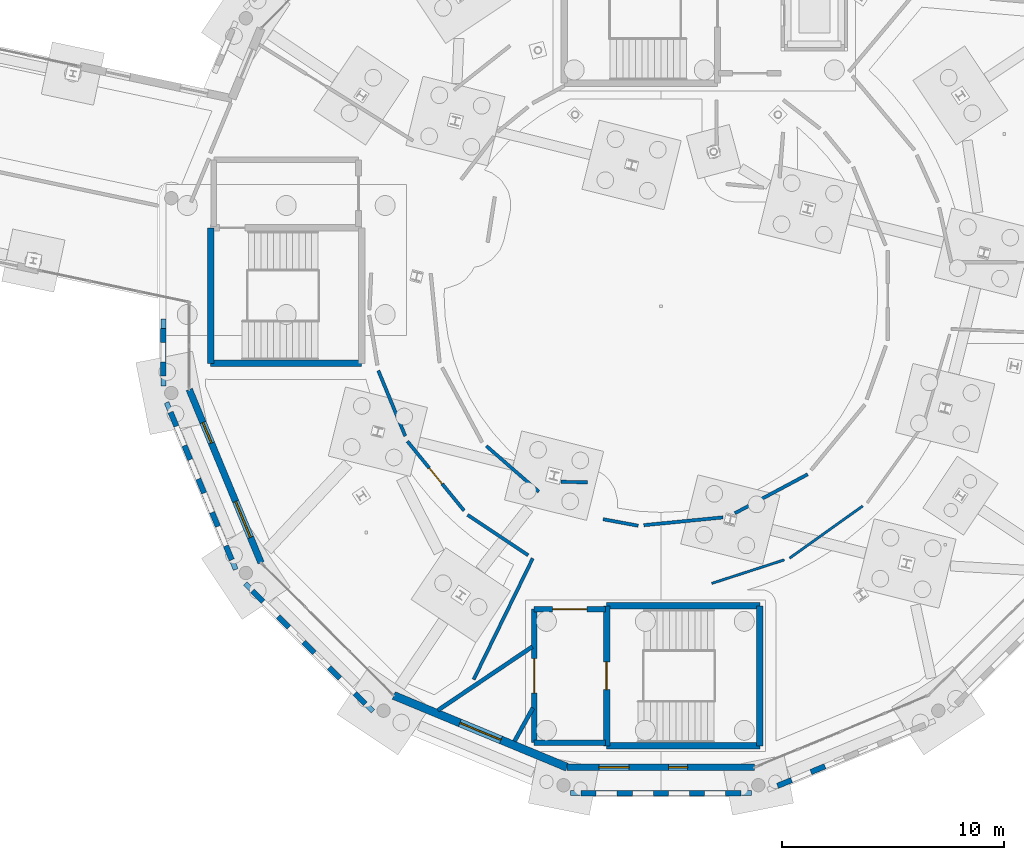
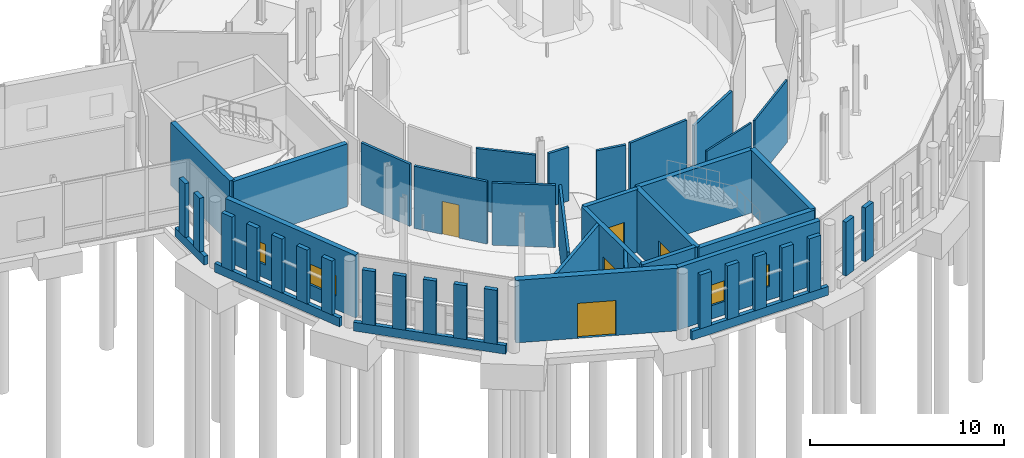
# One storey, part 89 of 113: 48 walls, 5 doors, 4 windows, 9 openings.
"""IFC4 building model written with IfcOpenShell, lengths in metres."""

from ifc_helpers import new_model, si_unit, direction, frame, frame_2d, origin, place, context, subcontext, project, spatial, rectangle, extrude, material, layer, layer_set, type_object, element, fill, save


model = new_model("IFC4")

# Units and contexts
model_context = context("Model", 3, precision=1e-05, world=origin(), true_north=direction((0.0, 1.0)))
body_context = subcontext(model_context, "Body", "Model", "MODEL_VIEW")
ifc_project = project(units=[si_unit("LENGTHUNIT", "METRE"), si_unit("AREAUNIT", "SQUARE_METRE"), si_unit("VOLUMEUNIT", "CUBIC_METRE"), si_unit("PLANEANGLEUNIT", "RADIAN"), si_unit("MASSUNIT", "GRAM", prefix="KILO")], contexts=[model_context])

# Site, building, storey
site_placement = place(None, origin())
site = spatial("IfcSite", under=ifc_project, at=site_placement, CompositionType="ELEMENT")
building_placement = place(site_placement, origin())
building = spatial("IfcBuilding", under=site, at=building_placement, Name="Wrenclough Park School", CompositionType="ELEMENT")
storey_placement = place(building_placement, origin())
storey = spatial("IfcBuildingStorey", under=building, at=storey_placement, Name="L00", CompositionType="ELEMENT", Elevation=0.0)

# Walls
ifc_material_1 = material(Name="Perforated open-bond Staffordshire and Manchester brick screen pier", Category="masonry")
ifc_layer_1 = layer(ifc_material_1, 0.2451171875)
ifc_layer_set_1 = layer_set([ifc_layer_1], Name="Perforated open-bond Staffordshire and Manchester brick screen pier")
wall_type_1 = type_object("IfcWallType", Name="ENV-BS-PR245", PredefinedType="ELEMENTEDWALL", material=ifc_layer_set_1)
for number, where, z_axis, x_axis, name in (
    (1, (133.121826171875, 25.017333984375, 0.550048828125), (0.0, 0.0, 1.0), (0.0, -1.0, 0.0), "D1 L00 perforated brick screen pier 0021"),
    (2, (133.121826171875, 23.507080078125, 0.550048828125), (0.0, 0.0, 1.0), (0.0, -1.0, 0.0), "D1 L00 perforated brick screen pier 0022"),
):
    element("IfcWall", number, at=place(storey_placement, frame(where, z_axis=z_axis, x_axis=x_axis)), inside=storey, type_object=wall_type_1, Name=name, PredefinedType="ELEMENTEDWALL", context=body_context, shape_type="SweptSolid", body=[
        extrude(rectangle(XDim=0.634033203125, YDim=0.2451171875, at=frame_2d((0.31689453125, 0.0))), origin(), (0.0, 0.0, 1.0), 3.389892578125),
    ])
for number, where, z_axis, x_axis, name in (
    (3, (133.4501953125, 21.256103515625, 0.550048828125), (0.0, 0.0, 1.0), (0.382762115804, -0.923846936838, 0.0), "D1 L00 perforated brick screen pier 0023"),
    (4, (134.072509765625, 19.75390625, 0.550048828125), (0.0, 0.0, 1.0), (0.38245702535, -0.923973280869, 0.0), "D1 L00 perforated brick screen pier 0024"),
    (5, (134.694580078125, 18.251708984375, 0.550048828125), (0.0, 0.0, 1.0), (0.382762115804, -0.923846936838, 0.0), "D1 L00 perforated brick screen pier 0025"),
    (6, (135.31689453125, 16.74951171875, 0.550048828125), (0.0, 0.0, 1.0), (0.382762115804, -0.923846936838, 0.0), "D1 L00 perforated brick screen pier 0026"),
    (7, (135.939208984375, 15.247314453125, 0.550048828125), (0.0, 0.0, 1.0), (0.382762115804, -0.923846936838, 0.0), "D1 L00 perforated brick screen pier 0027"),
):
    element("IfcWall", number, at=place(storey_placement, frame(where, z_axis=z_axis, x_axis=x_axis)), inside=storey, type_object=wall_type_1, Name=name, PredefinedType="ELEMENTEDWALL", context=body_context, shape_type="SweptSolid", body=[
        extrude(rectangle(XDim=0.68310546875, YDim=0.2451171875, at=frame_2d((0.341552734375, 0.0))), origin(), (0.0, 0.0, 1.0), 3.389892578125),
    ])
for number, where, z_axis, x_axis, name in (
    (8, (137.135498046875, 13.21728515625, 0.550048828125), (0.0, 0.0, 1.0), (0.707106781187, -0.707106781187, 0.0), "D1 L00 perforated brick screen pier 0028"),
    (9, (138.28515625, 12.0673828125, 0.550048828125), (0.0, 0.0, 1.0), (0.707285546639, -0.706927970528, 0.0), "D1 L00 perforated brick screen pier 0029"),
    (10, (139.434814453125, 10.917724609375, 0.550048828125), (0.0, 0.0, 1.0), (0.707106781187, -0.707106781187, 0.0), "D1 L00 perforated brick screen pier 0030"),
    (11, (140.584716796875, 9.76806640625, 0.550048828125), (0.0, 0.0, 1.0), (0.706927970528, -0.707285546639, 0.0), "D1 L00 perforated brick screen pier 0031"),
    (12, (141.734375, 8.618408203125, 0.550048828125), (0.0, 0.0, 1.0), (0.707106781187, -0.707106781187, 0.0), "D1 L00 perforated brick screen pier 0032"),
):
    element("IfcWall", number, at=place(storey_placement, frame(where, z_axis=z_axis, x_axis=x_axis)), inside=storey, type_object=wall_type_1, Name=name, PredefinedType="ELEMENTEDWALL", context=body_context, shape_type="SweptSolid", body=[
        extrude(rectangle(XDim=0.682861328125, YDim=0.2451171875, at=frame_2d((0.34130859375, 0.0))), origin(), (0.0, 0.0, 1.0), 3.389892578125),
    ])
for number, where, z_axis, x_axis, name in (
    (13, (151.906494140625, 4.121826171875, 0.550048828125), (0.0, 0.0, 1.0), (1.0, 0.0, 0.0), "D1 L00 perforated brick screen pier 0033"),
    (14, (153.532470703125, 4.121826171875, 0.550048828125), (0.0, 0.0, 1.0), (1.0, 0.0, 0.0), "D1 L00 perforated brick screen pier 0034"),
    (15, (155.158447265625, 4.121826171875, 0.550048828125), (0.0, 0.0, 1.0), (1.0, 0.0, 0.0), "D1 L00 perforated brick screen pier 0035"),
    (16, (156.784423828125, 4.121826171875, 0.550048828125), (0.0, 0.0, 1.0), (1.0, 0.0, 0.0), "D1 L00 perforated brick screen pier 0036"),
    (17, (158.410400390625, 4.121826171875, 0.550048828125), (0.0, 0.0, 1.0), (1.0, 0.0, 0.0), "D1 L00 perforated brick screen pier 0037"),
    (18, (160.743896484375, 4.4501953125, 0.550048828125), (0.0, 0.0, 1.0), (0.923846936838, 0.382762115804, 0.0), "D1 L00 perforated brick screen pier 0038"),
    (19, (162.24609375, 5.072509765625, 0.550048828125), (0.0, 0.0, 1.0), (0.923973280869, 0.38245702535, 0.0), "D1 L00 perforated brick screen pier 0039"),
):
    element("IfcWall", number, at=place(storey_placement, frame(where, z_axis=z_axis, x_axis=x_axis)), inside=storey, type_object=wall_type_1, Name=name, PredefinedType="ELEMENTEDWALL", context=body_context, shape_type="SweptSolid", body=[
        extrude(rectangle(XDim=0.68310546875, YDim=0.2451171875, at=frame_2d((0.341552734375, 0.0))), origin(), (0.0, 0.0, 1.0), 3.389892578125),
    ])
ifc_material_2 = material(Name="Open-bond Manchester multi-stock brick spandrel screen", Category="masonry")
ifc_layer_2 = layer(ifc_material_2, 0.22509765625)
ifc_layer_set_2 = layer_set([ifc_layer_2], Name="Open-bond Manchester multi-stock brick spandrel screen")
wall_type_2 = type_object("IfcWallType", Name="ENV-BS-SP225", PredefinedType="ELEMENTEDWALL", material=ifc_layer_set_2)
wall_1_placement = place(storey_placement, frame((133.121826171875, 25.45556640625, 0.0), z_axis=(0.0, 0.0, 1.0), x_axis=(0.0, -1.0, 0.0)))
element("IfcWall", 20, at=wall_1_placement, inside=storey, type_object=wall_type_2, Name="D1 L00 open-bond brick screen spandrel 0006", PredefinedType="ELEMENTEDWALL", context=body_context, shape_type="SweptSolid", body=[
    extrude(rectangle(XDim=3.0205078125, YDim=0.22509765625, at=frame_2d((1.51025390625, 0.0))), origin(), (0.0, 0.0, 1.0), 0.550048828125),
])
wall_2_placement = place(storey_placement, frame((133.269775390625, 21.691650390625, 0.0), z_axis=(0.0, 0.0, 1.0), x_axis=(0.382701881142, -0.923871890562, 0.0)))
element("IfcWall", 21, at=wall_2_placement, inside=storey, type_object=wall_type_2, Name="D1 L00 open-bond brick screen spandrel 0007", PredefinedType="ELEMENTEDWALL", context=body_context, shape_type="SweptSolid", body=[
    extrude(rectangle(XDim=8.1298828125, YDim=0.22509765625, at=frame_2d((4.06494140625, 0.0))), origin(), (0.0, 0.0, 1.0), 0.550048828125),
])
wall_3_placement = place(storey_placement, frame((136.802001953125, 13.550537109375, 0.0), z_axis=(0.0, 0.0, 1.0), x_axis=(0.707106781187, -0.707106781187, 0.0)))
element("IfcWall", 22, at=wall_3_placement, inside=storey, type_object=wall_type_2, Name="D1 L00 open-bond brick screen spandrel 0008", PredefinedType="ELEMENTEDWALL", context=body_context, shape_type="SweptSolid", body=[
    extrude(rectangle(XDim=8.129638671875, YDim=0.22509765625, at=frame_2d((4.06494140625, 0.0))), origin(), (0.0, 0.0, 1.0), 0.550048828125),
])
wall_4_placement = place(storey_placement, frame((151.43505859375, 4.121826171875, 0.0), z_axis=(0.0, 0.0, 1.0), x_axis=(1.0, 0.0, 0.0)))
element("IfcWall", 23, at=wall_4_placement, inside=storey, type_object=wall_type_2, Name="D1 L00 open-bond brick screen spandrel 0009", PredefinedType="ELEMENTEDWALL", context=body_context, shape_type="SweptSolid", body=[
    extrude(rectangle(XDim=8.1298828125, YDim=0.22509765625, at=frame_2d((4.06494140625, 0.0))), origin(), (0.0, 0.0, 1.0), 0.550048828125),
])

# Wall, openings, windows
ifc_material_3 = material(Name="Link wing brick-faced cavity wall Concrete C32/40", Category="masonry")
ifc_layer_3 = layer(ifc_material_3, 0.27490234375)
ifc_layer_set_3 = layer_set([ifc_layer_3], Name="Link wing brick-faced cavity wall Concrete C32/40")
wall_type_3 = type_object("IfcWallType", Name="ENV-EW-275", PredefinedType="SOLIDWALL", material=ifc_layer_set_3)
wall_5_placement = place(storey_placement, frame((159.71923828125, 5.287841796875, 0.0), z_axis=(0.0, 0.0, 1.0), x_axis=(-1.0, 0.0, 0.0)))
wall_5 = element("IfcWall", 24, at=wall_5_placement, inside=storey, type_object=wall_type_3, Name="L00 insulated brick external wall 0038", PredefinedType="SOLIDWALL", context=body_context, shape_type="SweptSolid", body=[
    extrude(rectangle(XDim=8.4384765625, YDim=0.27490234375, at=frame_2d((4.21923828125, 0.0))), origin(), (0.0, 0.0, 1.0), 3.93994140625),
])
opening_1_placement = place(wall_5_placement, frame((3.019287109375, 0.0, 0.85009765625)))
opening_1 = element("IfcOpeningElement", 25, at=opening_1_placement, cuts=wall_5, Name="Opening WN-01", PredefinedType="OPENING", context=body_context, shape_type="SweptSolid", body=[
    extrude(rectangle(XDim=0.85009765625, YDim=1.39990234375, at=frame_2d((0.425048828125, 0.699951171875))), frame((0.0, 0.1474609375, 0.0), z_axis=(0.0, -1.0, 0.0), x_axis=(1.0, 0.0, 0.0)), (0.0, 0.0, 1.0), 0.294921875),
])
opening_2_placement = place(wall_5_placement, frame((5.654052734375, 0.0, 0.85009765625)))
opening_2 = element("IfcOpeningElement", 26, at=opening_2_placement, cuts=wall_5, Name="Opening WN-43", PredefinedType="OPENING", context=body_context, shape_type="SweptSolid", body=[
    extrude(rectangle(XDim=1.35009765625, YDim=1.300048828125, at=frame_2d((0.675048828125, 0.64990234375))), frame((0.0, 0.1474609375, 0.0), z_axis=(0.0, -1.0, 0.0), x_axis=(1.0, 0.0, 0.0)), (0.0, 0.0, 1.0), 0.294921875),
])
ifc_material_4 = material(Name="Thermally broken aluminium and double-glazed low-e glass", Category="aluminium")
window_type_1 = type_object("IfcWindowType", Name="ENV-WN-01", PartitioningType="SINGLE_PANEL", PredefinedType="WINDOW", material=ifc_material_4)
window_1_placement = place(opening_1_placement, origin())
window_1 = element("IfcWindow", 27, at=window_1_placement, inside=storey, type_object=window_type_1, Name="L00 scheduled facade window 0041", OverallHeight=1.39990234375, OverallWidth=0.85009765625, PartitioningType="SINGLE_PANEL", PredefinedType="WINDOW", context=body_context, shape_type="SweptSolid", body=[
    extrude(rectangle(XDim=0.85009765625, YDim=1.39990234375, at=frame_2d((0.425048828125, 0.699951171875))), frame((0.0, 0.030029296875, 0.0), z_axis=(0.0, -1.0, 0.0), x_axis=(1.0, 0.0, 0.0)), (0.0, 0.0, 1.0), 0.06005859375),
])
fill(opening_1, window_1)
window_type_2 = type_object("IfcWindowType", Name="ENV-WN-43", PartitioningType="SINGLE_PANEL", PredefinedType="WINDOW", material=ifc_material_4)
window_2_placement = place(opening_2_placement, origin())
window_2 = element("IfcWindow", 28, at=window_2_placement, inside=storey, type_object=window_type_2, Name="L00 scheduled facade window 0042", OverallHeight=1.300048828125, OverallWidth=1.35009765625, PartitioningType="SINGLE_PANEL", PredefinedType="WINDOW", context=body_context, shape_type="SweptSolid", body=[
    extrude(rectangle(XDim=1.35009765625, YDim=1.300048828125, at=frame_2d((0.675048828125, 0.64990234375))), frame((0.0, 0.030029296875, 0.0), z_axis=(0.0, -1.0, 0.0), x_axis=(1.0, 0.0, 0.0)), (0.0, 0.0, 1.0), 0.06005859375),
])
fill(opening_2, window_2)

ifc_material_5 = material(Name="Manchester multi-stock brick and Concrete C32/40 inner leaf", Category="masonry")
ifc_layer_4 = layer(ifc_material_5, 0.300048828125)
ifc_layer_set_4 = layer_set([ifc_layer_4], Name="Manchester multi-stock brick and Concrete C32/40 inner leaf")
wall_type_4 = type_object("IfcWallType", Name="ENV-EW-300", PredefinedType="SOLIDWALL", material=ifc_layer_set_4)
wall_6_placement = place(storey_placement, frame((137.51708984375, 14.484375, 0.0), z_axis=(0.0, 0.0, 1.0), x_axis=(-0.382671186453, 0.923884604839, 0.0)))
wall_6 = element("IfcWall", 29, at=wall_6_placement, inside=storey, type_object=wall_type_4, Name="L00 insulated brick external wall 0040", PredefinedType="SOLIDWALL", context=body_context, shape_type="SweptSolid", body=[
    extrude(rectangle(XDim=8.438720703125, YDim=0.300048828125, at=frame_2d((4.21923828125, 0.0))), origin(), (0.0, 0.0, 1.0), 3.93994140625),
])
opening_3_placement = place(wall_6_placement, frame((1.234619140625, 0.0, 0.85009765625)))
opening_3 = element("IfcOpeningElement", 30, at=opening_3_placement, cuts=wall_6, Name="Opening WN-44", PredefinedType="OPENING", context=body_context, shape_type="SweptSolid", body=[
    extrude(rectangle(XDim=1.75, YDim=1.300048828125, at=frame_2d((0.875, 0.64990234375))), frame((0.0, 0.159912109375, 0.0), z_axis=(0.0, -1.0, 0.0), x_axis=(1.0, 0.0, 0.0)), (0.0, 0.0, 1.0), 0.320068359375),
])
opening_4_placement = place(wall_6_placement, frame((5.8291015625, 0.0, 0.85009765625)))
opening_4 = element("IfcOpeningElement", 31, at=opening_4_placement, cuts=wall_6, Name="Opening WN-45", PredefinedType="OPENING", context=body_context, shape_type="SweptSolid", body=[
    extrude(rectangle(XDim=1.0, YDim=1.300048828125, at=frame_2d((0.5, 0.64990234375))), frame((0.0, 0.159912109375, 0.0), z_axis=(0.0, -1.0, 0.0), x_axis=(1.0, 0.0, 0.0)), (0.0, 0.0, 1.0), 0.320068359375),
])
window_type_3 = type_object("IfcWindowType", Name="ENV-WN-44", PartitioningType="DOUBLE_PANEL_VERTICAL", PredefinedType="WINDOW", material=ifc_material_4)
window_3_placement = place(opening_3_placement, origin())
window_3 = element("IfcWindow", 32, at=window_3_placement, inside=storey, type_object=window_type_3, Name="L00 scheduled facade window 0043", OverallHeight=1.300048828125, OverallWidth=1.75, PartitioningType="SINGLE_PANEL", PredefinedType="WINDOW", context=body_context, shape_type="SweptSolid", body=[
    extrude(rectangle(XDim=1.75, YDim=1.300048828125, at=frame_2d((0.875, 0.64990234375))), frame((0.0, 0.030029296875, 0.0), z_axis=(0.0, -1.0, 0.0), x_axis=(1.0, 0.0, 0.0)), (0.0, 0.0, 1.0), 0.06005859375),
])
fill(opening_3, window_3)
window_type_4 = type_object("IfcWindowType", Name="ENV-WN-45", PartitioningType="SINGLE_PANEL", PredefinedType="WINDOW", material=ifc_material_4)
window_4_placement = place(opening_4_placement, origin())
window_4 = element("IfcWindow", 33, at=window_4_placement, inside=storey, type_object=window_type_4, Name="L00 scheduled facade window 0044", OverallHeight=1.300048828125, OverallWidth=1.0, PartitioningType="SINGLE_PANEL", PredefinedType="WINDOW", context=body_context, shape_type="SweptSolid", body=[
    extrude(rectangle(XDim=1.0, YDim=1.300048828125, at=frame_2d((0.5, 0.64990234375))), frame((0.0, 0.030029296875, 0.0), z_axis=(0.0, -1.0, 0.0), x_axis=(1.0, 0.0, 0.0)), (0.0, 0.0, 1.0), 0.06005859375),
])
fill(opening_4, window_4)

# Wall, opening, door
ifc_material_6 = material(Name="Faceted courtyard brick-cavity wall Concrete C35/45", Category="masonry")
ifc_layer_5 = layer(ifc_material_6, 0.364990234375)
ifc_layer_set_5 = layer_set([ifc_layer_5], Name="Faceted courtyard brick-cavity wall Concrete C35/45")
wall_type_5 = type_object("IfcWallType", Name="ENV-EW-365", PredefinedType="SOLIDWALL", material=ifc_layer_set_5)
wall_7_placement = place(storey_placement, frame((151.28076171875, 5.287841796875, 0.0), z_axis=(0.0, 0.0, 1.0), x_axis=(-0.923884604839, 0.382671186453, 0.0)))
wall_7 = element("IfcWall", 34, at=wall_7_placement, inside=storey, type_object=wall_type_5, Name="L00 insulated brick external wall 0039", PredefinedType="SOLIDWALL", context=body_context, shape_type="SweptSolid", body=[
    extrude(rectangle(XDim=8.438720703125, YDim=0.364990234375, at=frame_2d((4.21923828125, 0.0))), origin(), (0.0, 0.0, 1.0), 3.93994140625),
])
opening_5_placement = place(wall_7_placement, frame((3.21923828125, 0.0, 0.0)))
opening_5 = element("IfcOpeningElement", 35, at=opening_5_placement, cuts=wall_7, Name="Opening EX-15", PredefinedType="OPENING", context=body_context, shape_type="SweptSolid", body=[
    extrude(rectangle(XDim=2.0, YDim=2.199951171875, at=frame_2d((1.0, 1.10009765625))), frame((0.0, 0.1923828125, 0.0), z_axis=(0.0, -1.0, 0.0), x_axis=(1.0, 0.0, 0.0)), (0.0, 0.0, 1.0), 0.385009765625),
])
ifc_material_7 = material(Name="Thermally broken powder-coated aluminium and laminated safety glass", Category="aluminium")
door_type_1 = type_object("IfcDoorType", Name="DR-EX200", OperationType="NOTDEFINED", PredefinedType="DOOR", material=ifc_material_7)
door_1_placement = place(opening_5_placement, origin())
door_1 = element("IfcDoor", 36, at=door_1_placement, inside=storey, type_object=door_type_1, Name="Pedestrian final exit door EX-15", OperationType="DOUBLE_DOOR_SINGLE_SWING", OverallHeight=2.199951171875, OverallWidth=2.0, PredefinedType="DOOR", context=body_context, shape_type="SweptSolid", body=[
    extrude(rectangle(XDim=2.0, YDim=2.199951171875, at=frame_2d((1.0, 1.10009765625))), frame((0.0, 0.02490234375, 0.0), z_axis=(0.0, -1.0, 0.0), x_axis=(1.0, 0.0, 0.0)), (0.0, 0.0, 1.0), 0.050048828125),
])
fill(opening_5, door_1)

# Wall
ifc_material_8 = material(Name="Concrete C35/45", Category="concrete")
ifc_layer_6 = layer(ifc_material_8, 0.25)
ifc_layer_set_6 = layer_set([ifc_layer_6], Name="Concrete C35/45")
wall_type_6 = type_object("IfcWallType", Name="INT-CW-250", PredefinedType="SHEAR", material=ifc_layer_set_6)
wall_8_placement = place(storey_placement, frame((149.800048828125, 6.39990234375, 0.0), z_axis=(0.0, 0.0, 1.0), x_axis=(1.0, 0.0, 0.0)))
element("IfcWall", 37, at=wall_8_placement, inside=storey, type_object=wall_type_6, Name="Core C1B L00 lobby fire wall south", PredefinedType="SHEAR", context=body_context, shape_type="SweptSolid", body=[
    extrude(rectangle(XDim=3.199951171875, YDim=0.25, at=frame_2d((1.60009765625, 0.0))), origin(), (0.0, 0.0, 1.0), 3.949951171875),
])

# Wall, opening, door
wall_9_placement = place(storey_placement, frame((153.0, 12.39990234375, 0.0), z_axis=(0.0, 0.0, 1.0), x_axis=(-1.0, 0.0, 0.0)))
wall_9 = element("IfcWall", 38, at=wall_9_placement, inside=storey, type_object=wall_type_6, Name="Core C1B L00 lobby fire wall north", PredefinedType="SHEAR", context=body_context, shape_type="SweptSolid", body=[
    extrude(rectangle(XDim=3.199951171875, YDim=0.25, at=frame_2d((1.60009765625, 0.0))), origin(), (0.0, 0.0, 1.0), 3.949951171875),
])
opening_6_placement = place(wall_9_placement, frame((0.824951171875, 0.0, 0.0)))
opening_6 = element("IfcOpeningElement", 39, at=opening_6_placement, cuts=wall_9, Name="Opening DLB-C1B-L00", PredefinedType="OPENING", context=body_context, shape_type="SweptSolid", body=[
    extrude(rectangle(XDim=1.550048828125, YDim=2.14990234375, at=frame_2d((0.77490234375, 1.074951171875))), frame((0.0, 0.135009765625, 0.0), z_axis=(0.0, -1.0, 0.0), x_axis=(1.0, 0.0, 0.0)), (0.0, 0.0, 1.0), 0.27001953125),
])
ifc_material_9 = material(Name="Protected stair lobby double fire door assembly", Category="wood")
door_type_2 = type_object("IfcDoorType", Name="INT-DR-LB155", OperationType="NOTDEFINED", PredefinedType="DOOR", material=ifc_material_9)
door_2_placement = place(opening_6_placement, frame((1.550048828125, 0.0, 0.0), z_axis=(0.0, 0.0, 1.0), x_axis=(-1.0, 0.0, 0.0)))
door_2 = element("IfcDoor", 40, at=door_2_placement, inside=storey, type_object=door_type_2, Name="Core C1B L00 protected lobby fire door", OperationType="DOUBLE_DOOR_SINGLE_SWING", OverallHeight=2.14990234375, OverallWidth=1.550048828125, PredefinedType="DOOR", context=body_context, shape_type="SweptSolid", body=[
    extrude(rectangle(XDim=1.550048828125, YDim=2.14990234375, at=frame_2d((0.77490234375, 1.074951171875))), frame((0.0, 0.02490234375, 0.0), z_axis=(0.0, -1.0, 0.0), x_axis=(1.0, 0.0, 0.0)), (0.0, 0.0, 1.0), 0.050048828125),
])
fill(opening_6, door_2)

wall_10_placement = place(storey_placement, frame((149.800048828125, 12.39990234375, 0.0), z_axis=(0.0, 0.0, 1.0), x_axis=(0.0, -1.0, 0.0)))
wall_10 = element("IfcWall", 41, at=wall_10_placement, inside=storey, type_object=wall_type_6, Name="Core C1B L00 lobby fire wall west", PredefinedType="SHEAR", context=body_context, shape_type="SweptSolid", body=[
    extrude(rectangle(XDim=6.0, YDim=0.25, at=frame_2d((3.0, 0.0))), origin(), (0.0, 0.0, 1.0), 3.949951171875),
])
opening_7_placement = place(wall_10_placement, frame((2.22509765625, 0.0, 0.0)))
opening_7 = element("IfcOpeningElement", 42, at=opening_7_placement, cuts=wall_10, Name="Opening DEP-C1B-L00", PredefinedType="OPENING", context=body_context, shape_type="SweptSolid", body=[
    extrude(rectangle(XDim=1.550048828125, YDim=2.14990234375, at=frame_2d((0.77490234375, 1.074951171875))), frame((0.0, 0.135009765625, 0.0), z_axis=(0.0, -1.0, 0.0), x_axis=(1.0, 0.0, 0.0)), (0.0, 0.0, 1.0), 0.27001953125),
])
door_3_placement = place(opening_7_placement, frame((1.550048828125, 0.0, 0.0), z_axis=(0.0, 0.0, 1.0), x_axis=(-1.0, 0.0, 0.0)))
door_3 = element("IfcDoor", 43, at=door_3_placement, inside=storey, type_object=door_type_2, Name="Core C1B L00 protected exit passageway fire door", OperationType="DOUBLE_DOOR_SINGLE_SWING", OverallHeight=2.14990234375, OverallWidth=1.550048828125, PredefinedType="DOOR", context=body_context, shape_type="SweptSolid", body=[
    extrude(rectangle(XDim=1.550048828125, YDim=2.14990234375, at=frame_2d((0.77490234375, 1.074951171875))), frame((0.0, 0.02490234375, 0.0), z_axis=(0.0, -1.0, 0.0), x_axis=(1.0, 0.0, 0.0)), (0.0, 0.0, 1.0), 0.050048828125),
])
fill(opening_7, door_3)

# Walls
ifc_material_10 = material(Name="Concrete C40/50", Category="concrete")
ifc_layer_7 = layer(ifc_material_10, 0.2900390625)
ifc_layer_set_7 = layer_set([ifc_layer_7], Name="Concrete C40/50")
wall_type_7 = type_object("IfcWallType", Name="INT-CW-290", PredefinedType="SHEAR", material=ifc_layer_set_7)
wall_11_placement = place(storey_placement, frame((153.054931640625, 6.2548828125, 0.0), z_axis=(0.0, 0.0, 1.0), x_axis=(1.0, 0.0, 0.0)))
element("IfcWall", 44, at=wall_11_placement, inside=storey, type_object=wall_type_7, Name="Core C1B L00 south shear wall", PredefinedType="SHEAR", context=body_context, shape_type="SweptSolid", body=[
    extrude(rectangle(XDim=6.89013671875, YDim=0.2900390625, at=frame_2d((3.445068359375, 0.0))), origin(), (0.0, 0.0, 1.0), 3.949951171875),
])
wall_12_placement = place(storey_placement, frame((159.945068359375, 6.2548828125, 0.0), z_axis=(0.0, 0.0, 1.0), x_axis=(0.0, 1.0, 0.0)))
element("IfcWall", 45, at=wall_12_placement, inside=storey, type_object=wall_type_7, Name="Core C1B L00 east shear wall", PredefinedType="SHEAR", context=body_context, shape_type="SweptSolid", body=[
    extrude(rectangle(XDim=6.2900390625, YDim=0.2900390625, at=frame_2d((3.14501953125, 0.0))), origin(), (0.0, 0.0, 1.0), 3.949951171875),
])
wall_13_placement = place(storey_placement, frame((159.945068359375, 12.544921875, 0.0), z_axis=(0.0, 0.0, 1.0), x_axis=(-1.0, 0.0, 0.0)))
element("IfcWall", 46, at=wall_13_placement, inside=storey, type_object=wall_type_7, Name="Core C1B L00 north shear wall", PredefinedType="SHEAR", context=body_context, shape_type="SweptSolid", body=[
    extrude(rectangle(XDim=6.89013671875, YDim=0.2900390625, at=frame_2d((3.445068359375, 0.0))), origin(), (0.0, 0.0, 1.0), 3.949951171875),
])

# Wall, opening, door
wall_14_placement = place(storey_placement, frame((153.054931640625, 12.544921875, 0.0), z_axis=(0.0, 0.0, 1.0), x_axis=(0.0, -1.0, 0.0)))
wall_14 = element("IfcWall", 47, at=wall_14_placement, inside=storey, type_object=wall_type_7, Name="Core C1B L00 west shear wall", PredefinedType="SHEAR", context=body_context, shape_type="SweptSolid", body=[
    extrude(rectangle(XDim=6.2900390625, YDim=0.2900390625, at=frame_2d((3.14501953125, 0.0))), origin(), (0.0, 0.0, 1.0), 3.949951171875),
])
opening_8_placement = place(wall_14_placement, frame((2.52001953125, 0.0, 0.0)))
opening_8 = element("IfcOpeningElement", 48, at=opening_8_placement, cuts=wall_14, Name="Opening DST-C1B-L00", PredefinedType="OPENING", context=body_context, shape_type="SweptSolid", body=[
    extrude(rectangle(XDim=1.25, YDim=2.10009765625, at=frame_2d((0.625, 1.050048828125))), frame((0.0, 0.155029296875, 0.0), z_axis=(0.0, -1.0, 0.0), x_axis=(1.0, 0.0, 0.0)), (0.0, 0.0, 1.0), 0.31005859375),
])
ifc_material_11 = material(Name="Wide protected escape stair fire door assembly", Category="wood")
door_type_3 = type_object("IfcDoorType", Name="INT-DR-ST125", OperationType="NOTDEFINED", PredefinedType="DOOR", material=ifc_material_11)
door_4_placement = place(opening_8_placement, frame((1.25, 0.0, 0.0), z_axis=(0.0, 0.0, 1.0), x_axis=(-1.0, 0.0, 0.0)))
door_4 = element("IfcDoor", 49, at=door_4_placement, inside=storey, type_object=door_type_3, Name="Stair ST-09 L00 fire door", OperationType="SINGLE_SWING_LEFT", OverallHeight=2.10009765625, OverallWidth=1.25, PredefinedType="DOOR", context=body_context, shape_type="SweptSolid", body=[
    extrude(rectangle(XDim=1.25, YDim=2.10009765625, at=frame_2d((0.625, 1.050048828125))), frame((0.0, 0.02490234375, 0.0), z_axis=(0.0, -1.0, 0.0), x_axis=(1.0, 0.0, 0.0)), (0.0, 0.0, 1.0), 0.050048828125),
])
fill(opening_8, door_4)

# Walls
wall_15_placement = place(storey_placement, frame((135.2548828125, 23.455078125, 0.0), z_axis=(0.0, 0.0, 1.0), x_axis=(1.0, 0.0, 0.0)))
element("IfcWall", 50, at=wall_15_placement, inside=storey, type_object=wall_type_7, Name="Core C1C L00 south shear wall", PredefinedType="SHEAR", context=body_context, shape_type="SweptSolid", body=[
    extrude(rectangle(XDim=6.7900390625, YDim=0.2900390625, at=frame_2d((3.39501953125, 0.0))), origin(), (0.0, 0.0, 1.0), 3.949951171875),
])
wall_16_placement = place(storey_placement, frame((135.2548828125, 29.544921875, 0.0), z_axis=(0.0, 0.0, 1.0), x_axis=(0.0, -1.0, 0.0)))
element("IfcWall", 51, at=wall_16_placement, inside=storey, type_object=wall_type_7, Name="Core C1C L00 west shear wall", PredefinedType="SHEAR", context=body_context, shape_type="SweptSolid", body=[
    extrude(rectangle(XDim=6.08984375, YDim=0.2900390625, at=frame_2d((3.044921875, 0.0))), origin(), (0.0, 0.0, 1.0), 3.949951171875),
])
ifc_material_12 = material(Name="Lightweight fire-rated store partition", Category="gypsum")
ifc_layer_8 = layer(ifc_material_12, 0.110107421875)
ifc_layer_set_8 = layer_set([ifc_layer_8], Name="Lightweight fire-rated store partition")
wall_type_8 = type_object("IfcWallType", Name="INT-PW-110", PredefinedType="PARTITIONING", material=ifc_layer_set_8)
wall_17_placement = place(storey_placement, frame((164.5751953125, 17.03759765625, 0.0), z_axis=(0.0, 0.0, 1.0), x_axis=(-0.81420288456, -0.580580453318, 0.0)))
element("IfcWall", 52, at=wall_17_placement, inside=storey, type_object=wall_type_8, Name="L00 internal partition 0033", PredefinedType="PARTITIONING", context=body_context, shape_type="SweptSolid", body=[
    extrude(rectangle(XDim=4.0390625, YDim=0.110107421875, at=frame_2d((2.01953125, 0.0))), origin(), (0.0, 0.0, 1.0), 3.9150390625),
])
wall_18_placement = place(storey_placement, frame((161.048828125, 14.615478515625, 0.0), z_axis=(0.0, 0.0, 1.0), x_axis=(-0.951204772913, -0.308560334438, 0.0)))
element("IfcWall", 53, at=wall_18_placement, inside=storey, type_object=wall_type_8, Name="L00 internal partition 0034", PredefinedType="PARTITIONING", context=body_context, shape_type="SweptSolid", body=[
    extrude(rectangle(XDim=3.433837890625, YDim=0.110107421875, at=frame_2d((1.716796875, 0.0))), origin(), (0.0, 0.0, 1.0), 3.9150390625),
])
ifc_material_13 = material(Name="Protected corridor partition", Category="gypsum")
ifc_layer_9 = layer(ifc_material_13, 0.14990234375)
ifc_layer_set_9 = layer_set([ifc_layer_9], Name="Protected corridor partition")
wall_type_9 = type_object("IfcWallType", Name="INT-PW-150", PredefinedType="PARTITIONING", material=ifc_layer_set_9)
wall_19_placement = place(storey_placement, frame((147.0791015625, 9.23486328125, 0.0), z_axis=(0.0, 0.0, 1.0), x_axis=(0.438378395159, 0.898790510997, 0.0)))
element("IfcWall", 54, at=wall_19_placement, inside=storey, type_object=wall_type_9, Name="L00 internal partition 0023", PredefinedType="PARTITIONING", context=body_context, shape_type="SweptSolid", body=[
    extrude(rectangle(XDim=6.06103515625, YDim=0.14990234375, at=frame_2d((3.030517578125, 0.0))), origin(), (0.0, 0.0, 1.0), 3.9150390625),
])
wall_20_placement = place(storey_placement, frame((149.5283203125, 14.82080078125, 0.0), z_axis=(0.0, 0.0, 1.0), x_axis=(-0.832084732615, 0.554648535335, 0.0)))
element("IfcWall", 55, at=wall_20_placement, inside=storey, type_object=wall_type_9, Name="L00 internal partition 0024", PredefinedType="PARTITIONING", context=body_context, shape_type="SweptSolid", body=[
    extrude(rectangle(XDim=3.271728515625, YDim=0.14990234375, at=frame_2d((1.6357421875, 0.0))), origin(), (0.0, 0.0, 1.0), 3.9150390625),
])

# Wall, opening, door
wall_21_placement = place(storey_placement, frame((146.647705078125, 16.8291015625, 0.0), z_axis=(0.0, 0.0, 1.0), x_axis=(-0.632643622902, 0.774443055622, 0.0)))
wall_21 = element("IfcWall", 56, at=wall_21_placement, inside=storey, type_object=wall_type_9, Name="L00 internal partition 0025", PredefinedType="PARTITIONING", context=body_context, shape_type="SweptSolid", body=[
    extrude(rectangle(XDim=4.02880859375, YDim=0.14990234375, at=frame_2d((2.014404296875, 0.0))), origin(), (0.0, 0.0, 1.0), 3.9150390625),
])
opening_9_placement = place(wall_21_placement, frame((1.5546875, 0.0, 0.0)))
opening_9 = element("IfcOpeningElement", 57, at=opening_9_placement, cuts=wall_21, Name="Opening DR-L00-001", PredefinedType="OPENING", context=body_context, shape_type="SweptSolid", body=[
    extrude(rectangle(XDim=0.919921875, YDim=2.080078125, at=frame_2d((0.4599609375, 1.0400390625))), frame((0.0, 0.0849609375, 0.0), z_axis=(0.0, -1.0, 0.0), x_axis=(1.0, 0.0, 0.0)), (0.0, 0.0, 1.0), 0.169921875),
])
ifc_material_14 = material(Name="Acoustic classroom single leaf vision door assembly", Category="wood")
door_type_4 = type_object("IfcDoorType", Name="INT-DR-CL092", OperationType="NOTDEFINED", PredefinedType="DOOR", material=ifc_material_14)
door_5_placement = place(opening_9_placement, origin())
door_5 = element("IfcDoor", 58, at=door_5_placement, inside=storey, type_object=door_type_4, Name="PE Changing Village West door DR-L00-001", OperationType="SINGLE_SWING_RIGHT", OverallHeight=2.080078125, OverallWidth=0.919921875, PredefinedType="DOOR", context=body_context, shape_type="SweptSolid", body=[
    extrude(rectangle(XDim=0.919921875, YDim=2.080078125, at=frame_2d((0.4599609375, 1.0400390625))), frame((0.0, 0.02490234375, 0.0), z_axis=(0.0, -1.0, 0.0), x_axis=(1.0, 0.0, 0.0)), (0.0, 0.0, 1.0), 0.050048828125),
])
fill(opening_9, door_5)

# Walls
wall_22_placement = place(storey_placement, frame((144.003662109375, 20.180419921875, 0.0), z_axis=(0.0, 0.0, 1.0), x_axis=(-0.380576451037, 0.92474946062, 0.0)))
element("IfcWall", 59, at=wall_22_placement, inside=storey, type_object=wall_type_9, Name="L00 internal partition 0026", PredefinedType="PARTITIONING", context=body_context, shape_type="SweptSolid", body=[
    extrude(rectangle(XDim=3.187744140625, YDim=0.14990234375, at=frame_2d((1.59375, 0.0))), origin(), (0.0, 0.0, 1.0), 3.9150390625),
])
wall_23_placement = place(storey_placement, frame((147.64892578125, 19.73828125, 0.0), z_axis=(0.0, 0.0, 1.0), x_axis=(0.753758865397, -0.657151103503, 0.0)))
element("IfcWall", 60, at=wall_23_placement, inside=storey, type_object=wall_type_9, Name="L00 internal partition 0056", PredefinedType="PARTITIONING", context=body_context, shape_type="SweptSolid", body=[
    extrude(rectangle(XDim=3.131103515625, YDim=0.14990234375, at=frame_2d((1.5654296875, 0.0))), origin(), (0.0, 0.0, 1.0), 3.9150390625),
])
wall_24_placement = place(storey_placement, frame((151.0048828125, 18.125, 0.0), z_axis=(0.0, 0.0, 1.0), x_axis=(0.999860744147, -0.016688088952, 0.0)))
element("IfcWall", 61, at=wall_24_placement, inside=storey, type_object=wall_type_9, Name="L00 internal partition 0057", PredefinedType="PARTITIONING", context=body_context, shape_type="SweptSolid", body=[
    extrude(rectangle(XDim=1.19970703125, YDim=0.14990234375, at=frame_2d((0.599853515625, 0.0))), origin(), (0.0, 0.0, 1.0), 3.3837890625),
])
wall_25_placement = place(storey_placement, frame((152.89990234375, 16.44287109375, 0.0), z_axis=(0.0, 0.0, 1.0), x_axis=(0.983284018963, -0.182078384361, 0.0)))
element("IfcWall", 62, at=wall_25_placement, inside=storey, type_object=wall_type_9, Name="L00 internal partition 0058", PredefinedType="PARTITIONING", context=body_context, shape_type="SweptSolid", body=[
    extrude(rectangle(XDim=1.607666015625, YDim=0.14990234375, at=frame_2d((0.8037109375, 0.0))), origin(), (0.0, 0.0, 1.0), 3.9150390625),
])
wall_26_placement = place(storey_placement, frame((154.729248046875, 16.174560546875, 0.0), z_axis=(0.0, 0.0, 1.0), x_axis=(0.995181838027, 0.098046464804, 0.0)))
element("IfcWall", 63, at=wall_26_placement, inside=storey, type_object=wall_type_9, Name="L00 internal partition 0059", PredefinedType="PARTITIONING", context=body_context, shape_type="SweptSolid", body=[
    extrude(rectangle(XDim=3.583251953125, YDim=0.14990234375, at=frame_2d((1.79150390625, 0.0))), origin(), (0.0, 0.0, 1.0), 3.9150390625),
])
wall_27_placement = place(storey_placement, frame((158.823486328125, 16.71044921875, 0.0), z_axis=(0.0, 0.0, 1.0), x_axis=(0.881902915233, 0.471431064, 0.0)))
element("IfcWall", 64, at=wall_27_placement, inside=storey, type_object=wall_type_9, Name="L00 internal partition 0060", PredefinedType="PARTITIONING", context=body_context, shape_type="SweptSolid", body=[
    extrude(rectangle(XDim=3.712646484375, YDim=0.14990234375, at=frame_2d((1.8564453125, 0.0))), origin(), (0.0, 0.0, 1.0), 3.2333984375),
])
ifc_material_15 = material(Name="Laboratory fire and acoustic partition", Category="gypsum")
ifc_layer_10 = layer(ifc_material_15, 0.18505859375)
ifc_layer_set_10 = layer_set([ifc_layer_10], Name="Laboratory fire and acoustic partition")
wall_type_10 = type_object("IfcWallType", Name="INT-PW-185", PredefinedType="PARTITIONING", material=ifc_layer_set_10)
wall_28_placement = place(storey_placement, frame((149.716064453125, 10.7099609375, 0.0), z_axis=(0.0, 0.0, 1.0), x_axis=(-0.829326933292, -0.55876366893, 0.0)))
element("IfcWall", 65, at=wall_28_placement, inside=storey, type_object=wall_type_10, Name="L00 protected exit passageway EI 60 wall 0005", PredefinedType="PARTITIONING", context=body_context, shape_type="SweptSolid", body=[
    extrude(rectangle(XDim=5.12158203125, YDim=0.18505859375, at=frame_2d((2.560791015625, 0.0))), origin(), (0.0, 0.0, 1.0), 3.9150390625),
])
wall_29_placement = place(storey_placement, frame((148.917236328125, 6.4580078125, 0.0), z_axis=(0.0, 0.0, 1.0), x_axis=(0.48271443194, 0.875777812688, 0.0)))
element("IfcWall", 66, at=wall_29_placement, inside=storey, type_object=wall_type_10, Name="L00 protected exit passageway EI 60 wall 0006", PredefinedType="PARTITIONING", context=body_context, shape_type="SweptSolid", body=[
    extrude(rectangle(XDim=1.70751953125, YDim=0.18505859375, at=frame_2d((0.853759765625, 0.0))), origin(), (0.0, 0.0, 1.0), 3.9150390625),
])

save(model, "model.ifc")
